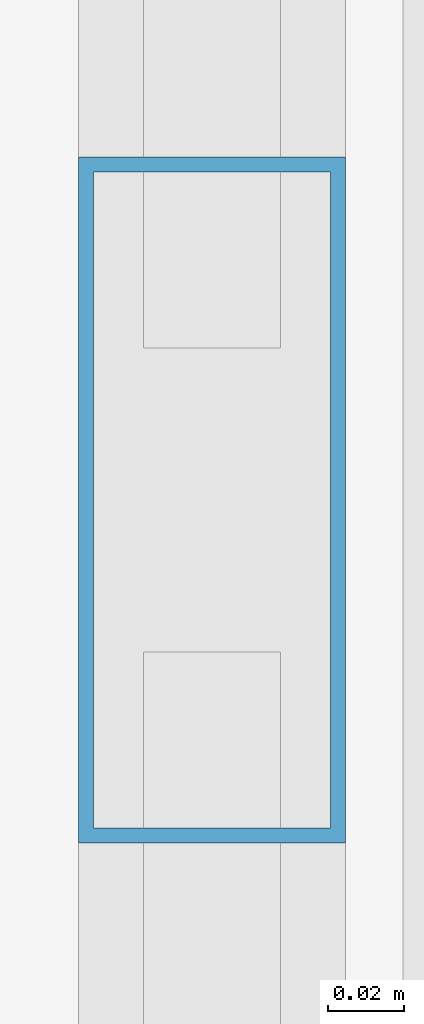
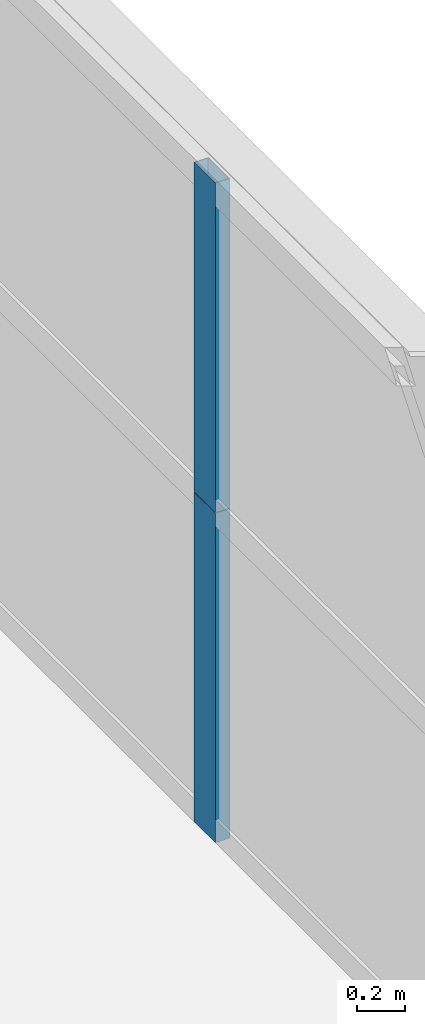
# One storey, part 19 of 43: 2 members, 1 element without a shape of its own.
"""IFC4 building model written with IfcOpenShell, lengths in metres."""

from ifc_helpers import new_model, si_unit, direction, frame, origin, origin_2d, place, context, subcontext, project, spatial, hollow_rectangle, extrude, source, transform, mapped, material, layer, layer_set, material_profile, profile_set, type_object, element, aggregate, save


model = new_model("IFC4")

# Units and contexts
model_context = context("Model", 3, precision=1e-05, world=origin(), true_north=direction((0.0, 1.0)))
body_context = subcontext(model_context, "Body", "Model", "MODEL_VIEW")
ifc_project = project(units=[si_unit("LENGTHUNIT", "METRE"), si_unit("AREAUNIT", "SQUARE_METRE"), si_unit("VOLUMEUNIT", "CUBIC_METRE"), si_unit("PLANEANGLEUNIT", "RADIAN"), si_unit("MASSUNIT", "GRAM", prefix="KILO"), si_unit("THERMODYNAMICTEMPERATUREUNIT", "KELVIN"), si_unit("POWERUNIT", "WATT")], contexts=[model_context])

# Site, building, storey
site_placement = place(None, origin())
site = spatial("IfcSite", under=ifc_project, at=site_placement, CompositionType="ELEMENT")
building_placement = place(site_placement, origin())
building = spatial("IfcBuilding", under=site, at=building_placement, Name="Yuzanri Waterfront Tower", CompositionType="ELEMENT")
storey_placement = place(building_placement, frame((0.0, 0.0, 67.60009765625)))
storey = spatial("IfcBuildingStorey", under=building, at=storey_placement, Name="L17", CompositionType="ELEMENT", Elevation=67.60009765625)

# Curtain wall, members
ifc_material_1 = material(Name="Anodized Architectural Bronze", Category="metal")
ifc_layer = layer(ifc_material_1, 0.159912109375)
ifc_layer_set = layer_set([ifc_layer], Name="Anodized Architectural Bronze")
curtain_wall_type = type_object("IfcCurtainWallType", Name="Anodized Bronze Hotel Lower-Tier Recessed Unitized Curtain Wall 8100", PredefinedType="NOTDEFINED", material=ifc_layer_set)
curtain_wall_placement = place(storey_placement, origin())
curtain_wall = element("IfcCurtainWall", 1, at=curtain_wall_placement, inside=storey, type_object=curtain_wall_type, Name="L17 Curtain Wall CW-L17-EL", PredefinedType="NOTDEFINED")
ifc_material_2 = material(Name="Anodized Architectural Bronze", Category="metal")
ifc_material_profile = material_profile(ifc_material_2, hollow_rectangle(XDim=0.070068359375, YDim=0.179931640625, WallThickness=0.00390625, at=origin_2d()), Name="CWM 70x180")
ifc_profile_set = profile_set([ifc_material_profile], Name="Anodized Architectural Bronze")
member_type = type_object("IfcMemberType", Name="Anodized Bronze Standard Curtain-Wall Mullion 70x180", PredefinedType="MULLION", material=ifc_profile_set)
shared_shape = source(origin(), body_context, "Body", "SweptSolid", [
    extrude(hollow_rectangle(XDim=0.070068359375, YDim=0.179931640625, WallThickness=0.00390625, at=origin_2d()), origin(), (0.0, 0.0, 1.0), 1.68798828125),
])
member_1_placement = place(storey_placement, frame((61.949951171875, 16.699951171875, 0.0), z_axis=(0.0, 0.0, 1.0), x_axis=(1.0, 0.0, 0.0)))
member_1 = element("IfcMember", 2, at=member_1_placement, type_object=member_type, Name="CW-L17-EL Lower Mullion 01", PredefinedType="MULLION", context=body_context, shape_type="MappedRepresentation", body=[
    mapped(shared_shape, transform((0.0, 0.0, 0.0), scale=1.0)),
])
member_2_placement = place(storey_placement, frame((61.949951171875, 16.699951171875, 1.69189453125), z_axis=(0.0, 0.0, 1.0), x_axis=(1.0, 0.0, 0.0)))
member_2 = element("IfcMember", 3, at=member_2_placement, type_object=member_type, Name="CW-L17-EL Upper Mullion 01", PredefinedType="MULLION", context=body_context, shape_type="MappedRepresentation", body=[
    mapped(shared_shape, transform((0.0, 0.0, 0.0), scale=1.0)),
])
aggregate(curtain_wall, [member_1, member_2])

save(model, "model.ifc")
